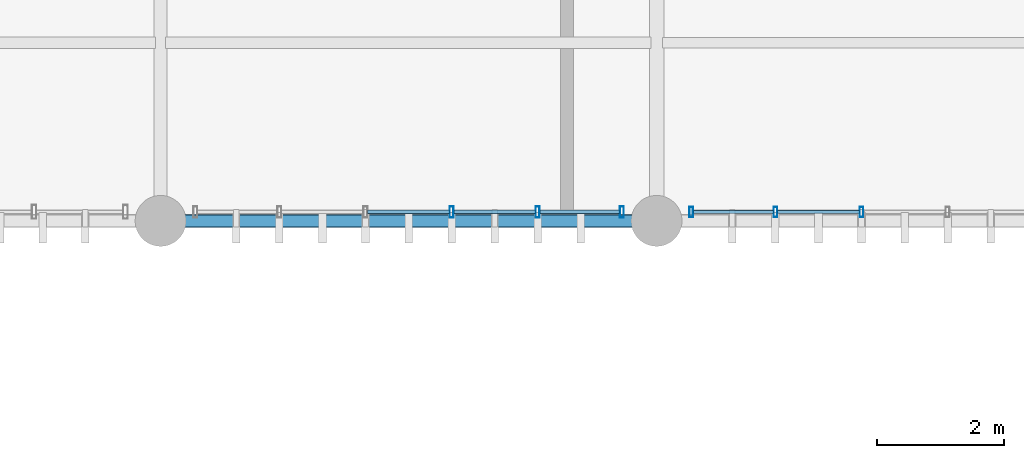
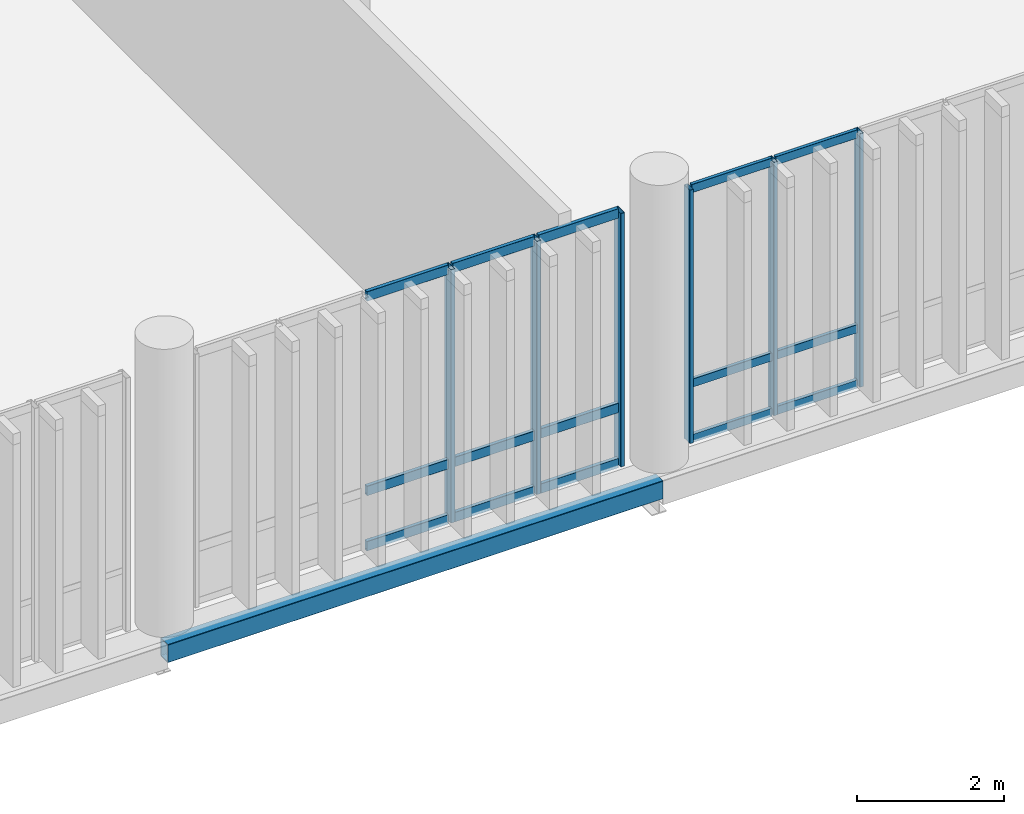
# One storey, part 50 of 94: 21 members, 1 beam, 2 elements without a shape of their own.
"""IFC4 building model written with IfcOpenShell, lengths in metres."""

from ifc_helpers import new_model, si_unit, direction, frame, origin_with_axes, origin_2d_with_axis, place, context, subcontext, project, spatial, hollow_rectangle, extrude, material, material_profile, profile_set, type_object, element, aggregate, save


model = new_model("IFC4")

# Units and contexts
model_context = context("Model", 3, precision=1e-05, world=origin_with_axes(), true_north=direction((0.0, 1.0)))
body_context = subcontext(model_context, "Body", "Model", "MODEL_VIEW")
ifc_project = project(units=[si_unit("LENGTHUNIT", "METRE"), si_unit("AREAUNIT", "SQUARE_METRE"), si_unit("VOLUMEUNIT", "CUBIC_METRE"), si_unit("PLANEANGLEUNIT", "RADIAN"), si_unit("MASSUNIT", "GRAM", prefix="KILO"), si_unit("THERMODYNAMICTEMPERATUREUNIT", "KELVIN")], contexts=[model_context])

# Site, building, storey
site_placement = place(None, origin_with_axes())
site = spatial("IfcSite", under=ifc_project, at=site_placement, CompositionType="ELEMENT")
building_placement = place(site_placement, origin_with_axes())
building = spatial("IfcBuilding", under=site, at=building_placement, Name="Montbau Bow Law Courts", CompositionType="ELEMENT")
storey_placement = place(building_placement, frame((0.0, 0.0, 15.6), z_axis=(0.0, 0.0, 1.0), x_axis=(1.0, 0.0, 0.0)))
storey = spatial("IfcBuildingStorey", under=building, at=storey_placement, Name="L03", CompositionType="ELEMENT", Elevation=15.6)

# Beam
ifc_material_1 = material(Name="Steel CSA G40.21 Grade 350WT (350 MPa)", Category="steel")
ifc_material_profile_1 = material_profile(ifc_material_1, hollow_rectangle(XDim=0.203, YDim=0.305, WallThickness=0.0127, InnerFilletRadius=0.0254, OuterFilletRadius=0.0127, at=origin_2d_with_axis()), Name="HSS305X203X13", Category="Main", Priority=0)
ifc_profile_set_1 = profile_set([ifc_material_profile_1], Name="Steel CSA G40.21 Grade 350WT (350 MPa)")
beam_type = type_object("IfcBeamType", Name="B-SPN-02", PredefinedType="SPANDREL", material=ifc_profile_set_1)
beam_placement = place(None, frame((147.0, 69.6, 15.107), z_axis=(1.0, 0.0, 0.0), x_axis=(0.0, 1.0, 0.0)))
element("IfcBeam", 1, at=beam_placement, inside=storey, type_object=beam_type, Name="SPN-L03-S1206:bm2_1209", PredefinedType="SPANDREL", context=body_context, shape_type="SweptSolid", body=[
    extrude(hollow_rectangle(XDim=0.203, YDim=0.305, WallThickness=0.0127, InnerFilletRadius=0.0254, OuterFilletRadius=0.0127, at=origin_2d_with_axis()), origin_with_axes(), (0.0, 0.0, 1.0), 7.8),
])

# Curtain wall, members
ifc_material_2 = material(Name="Thermally Broken Extruded Aluminium AA 6063-T6", Category="aluminium")
curtain_wall_type = type_object("IfcCurtainWallType", Name="CW-SLT-01", PredefinedType="NOTDEFINED", material=ifc_material_2)
curtain_wall_1_placement = place(None, frame((147.515, 69.74, 15.6), z_axis=(0.0, 0.0, 1.0), x_axis=(1.0, 0.0, 0.0)))
curtain_wall_1 = element("IfcCurtainWall", 2, at=curtain_wall_1_placement, inside=storey, type_object=curtain_wall_type, Name="CW-L03-310:cw_0310", PredefinedType="NOTDEFINED")
ifc_material_profile_2 = material_profile(ifc_material_2, hollow_rectangle(XDim=0.065, YDim=0.18, WallThickness=0.005, InnerFilletRadius=0.01, OuterFilletRadius=0.005, at=origin_2d_with_axis()), Name="CWM-180X65", Category="Main", Priority=0)
ifc_profile_set_2 = profile_set([ifc_material_profile_2], Name="Thermally Broken Extruded Aluminium AA 6063-T6")
member_type_1 = type_object("IfcMemberType", Name="M-MUL-02", PredefinedType="MULLION", material=ifc_profile_set_2)
member_1_placement = place(None, frame((151.577, 69.74, 15.6), z_axis=(0.0, 0.0, 1.0), x_axis=(1.0, 0.0, 0.0)))
member_1 = element("IfcMember", 3, at=member_1_placement, type_object=member_type_1, Name="CW-L03-310-M04:cw_0310_M04", PredefinedType="MULLION", context=body_context, shape_type="SweptSolid", body=[
    extrude(hollow_rectangle(XDim=0.065, YDim=0.18, WallThickness=0.005, InnerFilletRadius=0.01, OuterFilletRadius=0.005, at=origin_2d_with_axis()), origin_with_axes(), (0.0, 0.0, 1.0), 4.22),
])
member_2_placement = place(None, frame((152.931, 69.74, 15.6), z_axis=(0.0, 0.0, 1.0), x_axis=(1.0, 0.0, 0.0)))
member_2 = element("IfcMember", 4, at=member_2_placement, type_object=member_type_1, Name="CW-L03-310-M05:cw_0310_M05", PredefinedType="MULLION", context=body_context, shape_type="SweptSolid", body=[
    extrude(hollow_rectangle(XDim=0.065, YDim=0.18, WallThickness=0.005, InnerFilletRadius=0.01, OuterFilletRadius=0.005, at=origin_2d_with_axis()), origin_with_axes(), (0.0, 0.0, 1.0), 4.22),
])
member_3_placement = place(None, frame((154.253, 69.74, 15.6), z_axis=(0.0, 0.0, 1.0), x_axis=(1.0, 0.0, 0.0)))
member_3 = element("IfcMember", 5, at=member_3_placement, type_object=member_type_1, Name="CW-L03-310-M06:cw_0310_M06", PredefinedType="MULLION", context=body_context, shape_type="SweptSolid", body=[
    extrude(hollow_rectangle(XDim=0.065, YDim=0.18, WallThickness=0.005, InnerFilletRadius=0.01, OuterFilletRadius=0.005, at=origin_2d_with_axis()), origin_with_axes(), (0.0, 0.0, 1.0), 4.22),
])

curtain_wall_2_placement = place(None, frame((155.315, 69.74, 15.6), z_axis=(0.0, 0.0, 1.0), x_axis=(1.0, 0.0, 0.0)))
curtain_wall_2 = element("IfcCurtainWall", 6, at=curtain_wall_2_placement, inside=storey, type_object=curtain_wall_type, Name="CW-L03-311:cw_0311", PredefinedType="NOTDEFINED")
ifc_material_profile_3 = material_profile(ifc_material_2, hollow_rectangle(XDim=0.06, YDim=0.16, WallThickness=0.004, InnerFilletRadius=0.008, OuterFilletRadius=0.004, at=origin_2d_with_axis()), Name="CWM-160X60", Category="Main", Priority=0)
ifc_profile_set_3 = profile_set([ifc_material_profile_3], Name="Thermally Broken Extruded Aluminium AA 6063-T6")
member_type_2 = type_object("IfcMemberType", Name="M-MUL-03", PredefinedType="MULLION", material=ifc_profile_set_3)
member_4_placement = place(None, frame((155.345, 69.74, 15.6), z_axis=(0.0, 0.0, 1.0), x_axis=(1.0, 0.0, 0.0)))
member_4 = element("IfcMember", 7, at=member_4_placement, type_object=member_type_2, Name="CW-L03-311-M01:cw_0311_M01", PredefinedType="MULLION", context=body_context, shape_type="SweptSolid", body=[
    extrude(hollow_rectangle(XDim=0.06, YDim=0.16, WallThickness=0.004, InnerFilletRadius=0.008, OuterFilletRadius=0.004, at=origin_2d_with_axis()), origin_with_axes(), (0.0, 0.0, 1.0), 4.22),
])
member_5_placement = place(None, frame((156.669, 69.74, 15.6), z_axis=(0.0, 0.0, 1.0), x_axis=(1.0, 0.0, 0.0)))
member_5 = element("IfcMember", 8, at=member_5_placement, type_object=member_type_2, Name="CW-L03-311-M02:cw_0311_M02", PredefinedType="MULLION", context=body_context, shape_type="SweptSolid", body=[
    extrude(hollow_rectangle(XDim=0.06, YDim=0.16, WallThickness=0.004, InnerFilletRadius=0.008, OuterFilletRadius=0.004, at=origin_2d_with_axis()), origin_with_axes(), (0.0, 0.0, 1.0), 4.22),
])
member_6_placement = place(None, frame((158.023, 69.74, 15.6), z_axis=(0.0, 0.0, 1.0), x_axis=(1.0, 0.0, 0.0)))
member_6 = element("IfcMember", 9, at=member_6_placement, type_object=member_type_2, Name="CW-L03-311-M03:cw_0311_M03", PredefinedType="MULLION", context=body_context, shape_type="SweptSolid", body=[
    extrude(hollow_rectangle(XDim=0.06, YDim=0.16, WallThickness=0.004, InnerFilletRadius=0.008, OuterFilletRadius=0.004, at=origin_2d_with_axis()), origin_with_axes(), (0.0, 0.0, 1.0), 4.22),
])

# Member
ifc_material_profile_4 = material_profile(ifc_material_2, hollow_rectangle(XDim=0.06, YDim=0.16, WallThickness=0.004, InnerFilletRadius=0.008, OuterFilletRadius=0.004, at=origin_2d_with_axis()), Name="CWT-160X60", Category="Main", Priority=0)
ifc_profile_set_4 = profile_set([ifc_material_profile_4], Name="Thermally Broken Extruded Aluminium AA 6063-T6")
member_type_3 = type_object("IfcMemberType", Name="M-TRN-01", PredefinedType="USERDEFINED", material=ifc_profile_set_4)
member_7_placement = place(None, frame((150.258, 69.74, 15.63), z_axis=(1.0, 0.0, 0.0), x_axis=(0.0, 1.0, 0.0)))
member_7 = element("IfcMember", 10, at=member_7_placement, type_object=member_type_3, Name="CW-L03-310-T03-1:cw_0310_T03_1", ObjectType="TRANSOM", PredefinedType="USERDEFINED", context=body_context, shape_type="SweptSolid", body=[
    extrude(hollow_rectangle(XDim=0.06, YDim=0.16, WallThickness=0.004, InnerFilletRadius=0.008, OuterFilletRadius=0.004, at=origin_2d_with_axis()), origin_with_axes(), (0.0, 0.0, 1.0), 1.285),
])

member_8_placement = place(None, frame((150.258, 69.74, 16.55), z_axis=(1.0, 0.0, 0.0), x_axis=(0.0, 1.0, 0.0)))
member_8 = element("IfcMember", 11, at=member_8_placement, type_object=member_type_3, Name="CW-L03-310-T03-2:cw_0310_T03_2", ObjectType="TRANSOM", PredefinedType="USERDEFINED", context=body_context, shape_type="SweptSolid", body=[
    extrude(hollow_rectangle(XDim=0.06, YDim=0.16, WallThickness=0.004, InnerFilletRadius=0.008, OuterFilletRadius=0.004, at=origin_2d_with_axis()), origin_with_axes(), (0.0, 0.0, 1.0), 1.285),
])

member_9_placement = place(None, frame((150.258, 69.74, 19.79), z_axis=(1.0, 0.0, 0.0), x_axis=(0.0, 1.0, 0.0)))
member_9 = element("IfcMember", 12, at=member_9_placement, type_object=member_type_3, Name="CW-L03-310-T03-3:cw_0310_T03_3", ObjectType="TRANSOM", PredefinedType="USERDEFINED", context=body_context, shape_type="SweptSolid", body=[
    extrude(hollow_rectangle(XDim=0.06, YDim=0.16, WallThickness=0.004, InnerFilletRadius=0.008, OuterFilletRadius=0.004, at=origin_2d_with_axis()), origin_with_axes(), (0.0, 0.0, 1.0), 1.285),
])

member_10_placement = place(None, frame((151.611, 69.74, 15.63), z_axis=(1.0, 0.0, 0.0), x_axis=(0.0, 1.0, 0.0)))
member_10 = element("IfcMember", 13, at=member_10_placement, type_object=member_type_3, Name="CW-L03-310-T04-1:cw_0310_T04_1", ObjectType="TRANSOM", PredefinedType="USERDEFINED", context=body_context, shape_type="SweptSolid", body=[
    extrude(hollow_rectangle(XDim=0.06, YDim=0.16, WallThickness=0.004, InnerFilletRadius=0.008, OuterFilletRadius=0.004, at=origin_2d_with_axis()), origin_with_axes(), (0.0, 0.0, 1.0), 1.286),
])

member_11_placement = place(None, frame((151.611, 69.74, 16.55), z_axis=(1.0, 0.0, 0.0), x_axis=(0.0, 1.0, 0.0)))
member_11 = element("IfcMember", 14, at=member_11_placement, type_object=member_type_3, Name="CW-L03-310-T04-2:cw_0310_T04_2", ObjectType="TRANSOM", PredefinedType="USERDEFINED", context=body_context, shape_type="SweptSolid", body=[
    extrude(hollow_rectangle(XDim=0.06, YDim=0.16, WallThickness=0.004, InnerFilletRadius=0.008, OuterFilletRadius=0.004, at=origin_2d_with_axis()), origin_with_axes(), (0.0, 0.0, 1.0), 1.286),
])

member_12_placement = place(None, frame((151.611, 69.74, 19.79), z_axis=(1.0, 0.0, 0.0), x_axis=(0.0, 1.0, 0.0)))
member_12 = element("IfcMember", 15, at=member_12_placement, type_object=member_type_3, Name="CW-L03-310-T04-3:cw_0310_T04_3", ObjectType="TRANSOM", PredefinedType="USERDEFINED", context=body_context, shape_type="SweptSolid", body=[
    extrude(hollow_rectangle(XDim=0.06, YDim=0.16, WallThickness=0.004, InnerFilletRadius=0.008, OuterFilletRadius=0.004, at=origin_2d_with_axis()), origin_with_axes(), (0.0, 0.0, 1.0), 1.286),
])

member_13_placement = place(None, frame((152.965, 69.74, 15.63), z_axis=(1.0, 0.0, 0.0), x_axis=(0.0, 1.0, 0.0)))
member_13 = element("IfcMember", 16, at=member_13_placement, type_object=member_type_3, Name="CW-L03-310-T05-1:cw_0310_T05_1", ObjectType="TRANSOM", PredefinedType="USERDEFINED", context=body_context, shape_type="SweptSolid", body=[
    extrude(hollow_rectangle(XDim=0.06, YDim=0.16, WallThickness=0.004, InnerFilletRadius=0.008, OuterFilletRadius=0.004, at=origin_2d_with_axis()), origin_with_axes(), (0.0, 0.0, 1.0), 1.254),
])

member_14_placement = place(None, frame((152.965, 69.74, 16.55), z_axis=(1.0, 0.0, 0.0), x_axis=(0.0, 1.0, 0.0)))
member_14 = element("IfcMember", 17, at=member_14_placement, type_object=member_type_3, Name="CW-L03-310-T05-2:cw_0310_T05_2", ObjectType="TRANSOM", PredefinedType="USERDEFINED", context=body_context, shape_type="SweptSolid", body=[
    extrude(hollow_rectangle(XDim=0.06, YDim=0.16, WallThickness=0.004, InnerFilletRadius=0.008, OuterFilletRadius=0.004, at=origin_2d_with_axis()), origin_with_axes(), (0.0, 0.0, 1.0), 1.254),
])

member_15_placement = place(None, frame((152.965, 69.74, 19.79), z_axis=(1.0, 0.0, 0.0), x_axis=(0.0, 1.0, 0.0)))
member_15 = element("IfcMember", 18, at=member_15_placement, type_object=member_type_3, Name="CW-L03-310-T05-3:cw_0310_T05_3", ObjectType="TRANSOM", PredefinedType="USERDEFINED", context=body_context, shape_type="SweptSolid", body=[
    extrude(hollow_rectangle(XDim=0.06, YDim=0.16, WallThickness=0.004, InnerFilletRadius=0.008, OuterFilletRadius=0.004, at=origin_2d_with_axis()), origin_with_axes(), (0.0, 0.0, 1.0), 1.254),
])

aggregate(curtain_wall_1, [member_1, member_2, member_3, member_7, member_8, member_9, member_10, member_11, member_12, member_13, member_14, member_15])

ifc_material_profile_5 = material_profile(ifc_material_2, hollow_rectangle(XDim=0.055, YDim=0.14, WallThickness=0.004, InnerFilletRadius=0.008, OuterFilletRadius=0.004, at=origin_2d_with_axis()), Name="CWT-140X55", Category="Main", Priority=0)
ifc_profile_set_5 = profile_set([ifc_material_profile_5], Name="Thermally Broken Extruded Aluminium AA 6063-T6")
member_type_4 = type_object("IfcMemberType", Name="M-TRN-02", PredefinedType="USERDEFINED", material=ifc_profile_set_5)
member_16_placement = place(None, frame((155.377, 69.74, 15.627), z_axis=(1.0, 0.0, 0.0), x_axis=(0.0, 1.0, 0.0)))
member_16 = element("IfcMember", 19, at=member_16_placement, type_object=member_type_4, Name="CW-L03-311-T01-1:cw_0311_T01_1", ObjectType="TRANSOM", PredefinedType="USERDEFINED", context=body_context, shape_type="SweptSolid", body=[
    extrude(hollow_rectangle(XDim=0.055, YDim=0.14, WallThickness=0.004, InnerFilletRadius=0.008, OuterFilletRadius=0.004, at=origin_2d_with_axis()), origin_with_axes(), (0.0, 0.0, 1.0), 1.26),
])

member_17_placement = place(None, frame((155.377, 69.74, 16.55), z_axis=(1.0, 0.0, 0.0), x_axis=(0.0, 1.0, 0.0)))
member_17 = element("IfcMember", 20, at=member_17_placement, type_object=member_type_4, Name="CW-L03-311-T01-2:cw_0311_T01_2", ObjectType="TRANSOM", PredefinedType="USERDEFINED", context=body_context, shape_type="SweptSolid", body=[
    extrude(hollow_rectangle(XDim=0.055, YDim=0.14, WallThickness=0.004, InnerFilletRadius=0.008, OuterFilletRadius=0.004, at=origin_2d_with_axis()), origin_with_axes(), (0.0, 0.0, 1.0), 1.26),
])

member_18_placement = place(None, frame((155.377, 69.74, 19.793), z_axis=(1.0, 0.0, 0.0), x_axis=(0.0, 1.0, 0.0)))
member_18 = element("IfcMember", 21, at=member_18_placement, type_object=member_type_4, Name="CW-L03-311-T01-3:cw_0311_T01_3", ObjectType="TRANSOM", PredefinedType="USERDEFINED", context=body_context, shape_type="SweptSolid", body=[
    extrude(hollow_rectangle(XDim=0.055, YDim=0.14, WallThickness=0.004, InnerFilletRadius=0.008, OuterFilletRadius=0.004, at=origin_2d_with_axis()), origin_with_axes(), (0.0, 0.0, 1.0), 1.26),
])

member_19_placement = place(None, frame((156.701, 69.74, 15.627), z_axis=(1.0, 0.0, 0.0), x_axis=(0.0, 1.0, 0.0)))
member_19 = element("IfcMember", 22, at=member_19_placement, type_object=member_type_4, Name="CW-L03-311-T02-1:cw_0311_T02_1", ObjectType="TRANSOM", PredefinedType="USERDEFINED", context=body_context, shape_type="SweptSolid", body=[
    extrude(hollow_rectangle(XDim=0.055, YDim=0.14, WallThickness=0.004, InnerFilletRadius=0.008, OuterFilletRadius=0.004, at=origin_2d_with_axis()), origin_with_axes(), (0.0, 0.0, 1.0), 1.29),
])

member_20_placement = place(None, frame((156.701, 69.74, 16.55), z_axis=(1.0, 0.0, 0.0), x_axis=(0.0, 1.0, 0.0)))
member_20 = element("IfcMember", 23, at=member_20_placement, type_object=member_type_4, Name="CW-L03-311-T02-2:cw_0311_T02_2", ObjectType="TRANSOM", PredefinedType="USERDEFINED", context=body_context, shape_type="SweptSolid", body=[
    extrude(hollow_rectangle(XDim=0.055, YDim=0.14, WallThickness=0.004, InnerFilletRadius=0.008, OuterFilletRadius=0.004, at=origin_2d_with_axis()), origin_with_axes(), (0.0, 0.0, 1.0), 1.29),
])

member_21_placement = place(None, frame((156.701, 69.74, 19.793), z_axis=(1.0, 0.0, 0.0), x_axis=(0.0, 1.0, 0.0)))
member_21 = element("IfcMember", 24, at=member_21_placement, type_object=member_type_4, Name="CW-L03-311-T02-3:cw_0311_T02_3", ObjectType="TRANSOM", PredefinedType="USERDEFINED", context=body_context, shape_type="SweptSolid", body=[
    extrude(hollow_rectangle(XDim=0.055, YDim=0.14, WallThickness=0.004, InnerFilletRadius=0.008, OuterFilletRadius=0.004, at=origin_2d_with_axis()), origin_with_axes(), (0.0, 0.0, 1.0), 1.29),
])

aggregate(curtain_wall_2, [member_4, member_5, member_6, member_16, member_17, member_18, member_19, member_20, member_21])

save(model, "model.ifc")
